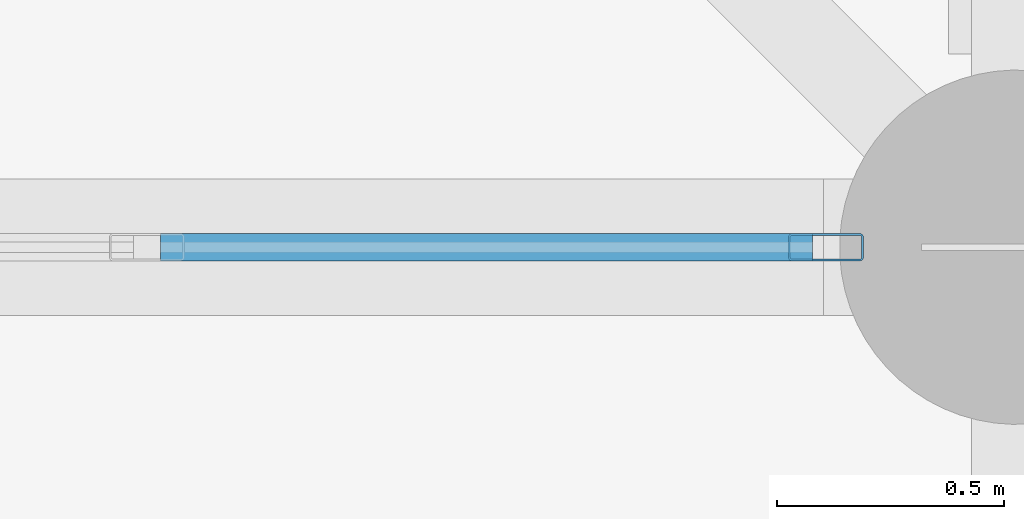
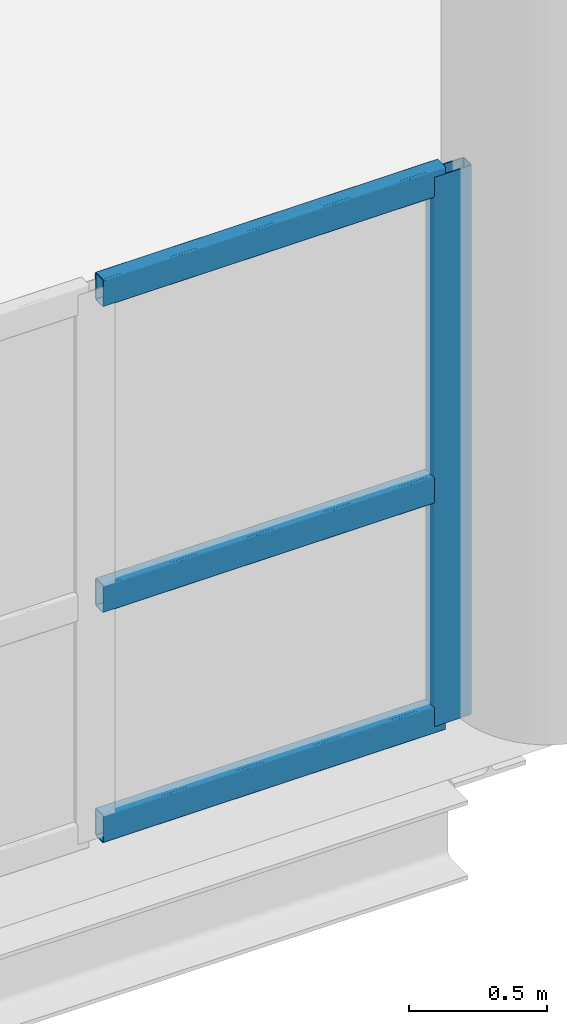
# One storey, part 31 of 95: 4 members, 1 element without a shape of its own.
"""IFC4 building model written with IfcOpenShell, lengths in metres."""

from ifc_helpers import new_model, si_unit, direction, frame, origin, origin_2d, place, context, subcontext, project, spatial, hollow_rectangle, extrude, material, layer, layer_set, material_profile, profile_set, type_object, element, aggregate, save


model = new_model("IFC4")

# Units and contexts
model_context = context("Model", 3, precision=1e-05, world=origin(), true_north=direction((0.0, 1.0)))
body_context = subcontext(model_context, "Body", "Model", "MODEL_VIEW")
ifc_project = project(units=[si_unit("LENGTHUNIT", "METRE"), si_unit("AREAUNIT", "SQUARE_METRE"), si_unit("VOLUMEUNIT", "CUBIC_METRE"), si_unit("PLANEANGLEUNIT", "RADIAN"), si_unit("MASSUNIT", "GRAM", prefix="KILO"), si_unit("THERMODYNAMICTEMPERATUREUNIT", "KELVIN"), si_unit("POWERUNIT", "WATT")], contexts=[model_context])

# Site, building, storey
site_placement = place(None, origin())
site = spatial("IfcSite", under=ifc_project, at=site_placement, CompositionType="ELEMENT")
building_placement = place(site_placement, origin())
building = spatial("IfcBuilding", under=site, at=building_placement, Name="Mavoryth Pier Ferry Terminal", CompositionType="ELEMENT")
storey_placement = place(building_placement, frame((0.0, 0.0, 9.60009765625)))
storey = spatial("IfcBuildingStorey", under=building, at=storey_placement, Name="L02", CompositionType="ELEMENT", Elevation=9.60009765625)

# Curtain wall, members
ifc_material_1 = material(Name="Anodised Aluminium and Solar-Control Low-E Glass", Category="aluminium")
ifc_layer = layer(ifc_material_1, 0.179931640625, Name="Anodised Aluminium and Solar-Control Low-E Glass", Category="aluminium")
ifc_layer_set = layer_set([ifc_layer], Name="Anodised Aluminium and Solar-Control Low-E Glass - CW-Concourse-Mod1400")
curtain_wall_type = type_object("IfcCurtainWallType", Name="CW-Concourse-Mod1400", PredefinedType="USERDEFINED", material=ifc_layer_set)
curtain_wall_placement = place(storey_placement, origin())
curtain_wall = element("IfcCurtainWall", 1, at=curtain_wall_placement, inside=storey, type_object=curtain_wall_type, Name="Curtain Wall CW-0222-045", ObjectType="UNITISED CURTAIN WALL", PredefinedType="USERDEFINED")
ifc_material_2 = material(Name="Anodised Aluminium EN AW-6063", Category="aluminium")
ifc_material_profile_1 = material_profile(ifc_material_2, hollow_rectangle(XDim=0.06005859375, YDim=0.1650390625, WallThickness=0.00390625, InnerFilletRadius=0.00390625, OuterFilletRadius=0.008056640625, at=origin_2d()), Name="AL-MULL 165x60x4", Category="aluminium")
ifc_profile_set_1 = profile_set([ifc_material_profile_1], Name="Anodised Aluminium EN AW-6063 - AL-MULL 165x60x4")
member_type_1 = type_object("IfcMemberType", Name="Mullion-Alum-165x60", PredefinedType="MULLION", material=ifc_profile_set_1)
member_1_placement = place(storey_placement, frame((24.780029296875, 72.39990234375, 0.0), z_axis=(0.0, 0.0, 1.0), x_axis=(0.0, 1.0, 0.0)))
member_1 = element("IfcMember", 2, at=member_1_placement, type_object=member_type_1, Name="CW01 mullion 6", PredefinedType="MULLION", context=body_context, shape_type="SweptSolid", body=[
    extrude(hollow_rectangle(XDim=0.06005859375, YDim=0.1650390625, WallThickness=0.00390625, InnerFilletRadius=0.00390625, OuterFilletRadius=0.008056640625, at=origin_2d()), origin(), (0.0, 0.0, 1.0), 2.435791015625),
])
ifc_material_profile_2 = material_profile(ifc_material_2, hollow_rectangle(XDim=0.06005859375, YDim=0.125, WallThickness=0.00390625, InnerFilletRadius=0.00390625, OuterFilletRadius=0.008056640625, at=origin_2d()), Name="AL-TRAN 125x60x4", Category="aluminium")
ifc_profile_set_2 = profile_set([ifc_material_profile_2], Name="Anodised Aluminium EN AW-6063 - AL-TRAN 125x60x4")
member_type_2 = type_object("IfcMemberType", Name="Transom-Alum-125x60", PredefinedType="USERDEFINED", material=ifc_profile_set_2)
member_2_placement = place(storey_placement, frame((23.31591796875, 72.39990234375, 0.02978515625), z_axis=(1.0, 0.0, 0.0), x_axis=(0.0, 1.0, 0.0)))
member_2 = element("IfcMember", 3, at=member_2_placement, type_object=member_type_2, Name="CW01 transom 5.1", ObjectType="TRANSOM", PredefinedType="USERDEFINED", context=body_context, shape_type="SweptSolid", body=[
    extrude(hollow_rectangle(XDim=0.06005859375, YDim=0.125, WallThickness=0.00390625, InnerFilletRadius=0.00390625, OuterFilletRadius=0.008056640625, at=origin_2d()), origin(), (0.0, 0.0, 1.0), 1.43408203125),
])
member_3_placement = place(storey_placement, frame((23.31591796875, 72.39990234375, 1.0498046875), z_axis=(1.0, 0.0, 0.0), x_axis=(0.0, 1.0, 0.0)))
member_3 = element("IfcMember", 4, at=member_3_placement, type_object=member_type_2, Name="CW01 transom 5.2", ObjectType="TRANSOM", PredefinedType="USERDEFINED", context=body_context, shape_type="SweptSolid", body=[
    extrude(hollow_rectangle(XDim=0.06005859375, YDim=0.125, WallThickness=0.00390625, InnerFilletRadius=0.00390625, OuterFilletRadius=0.008056640625, at=origin_2d()), origin(), (0.0, 0.0, 1.0), 1.43408203125),
])
member_4_placement = place(storey_placement, frame((23.31591796875, 72.39990234375, 2.406005859375), z_axis=(1.0, 0.0, 0.0), x_axis=(0.0, 1.0, 0.0)))
member_4 = element("IfcMember", 5, at=member_4_placement, type_object=member_type_2, Name="CW01 transom 5.3", ObjectType="TRANSOM", PredefinedType="USERDEFINED", context=body_context, shape_type="SweptSolid", body=[
    extrude(hollow_rectangle(XDim=0.06005859375, YDim=0.125, WallThickness=0.00390625, InnerFilletRadius=0.00390625, OuterFilletRadius=0.008056640625, at=origin_2d()), origin(), (0.0, 0.0, 1.0), 1.43408203125),
])
aggregate(curtain_wall, [member_1, member_2, member_3, member_4])

save(model, "model.ifc")
